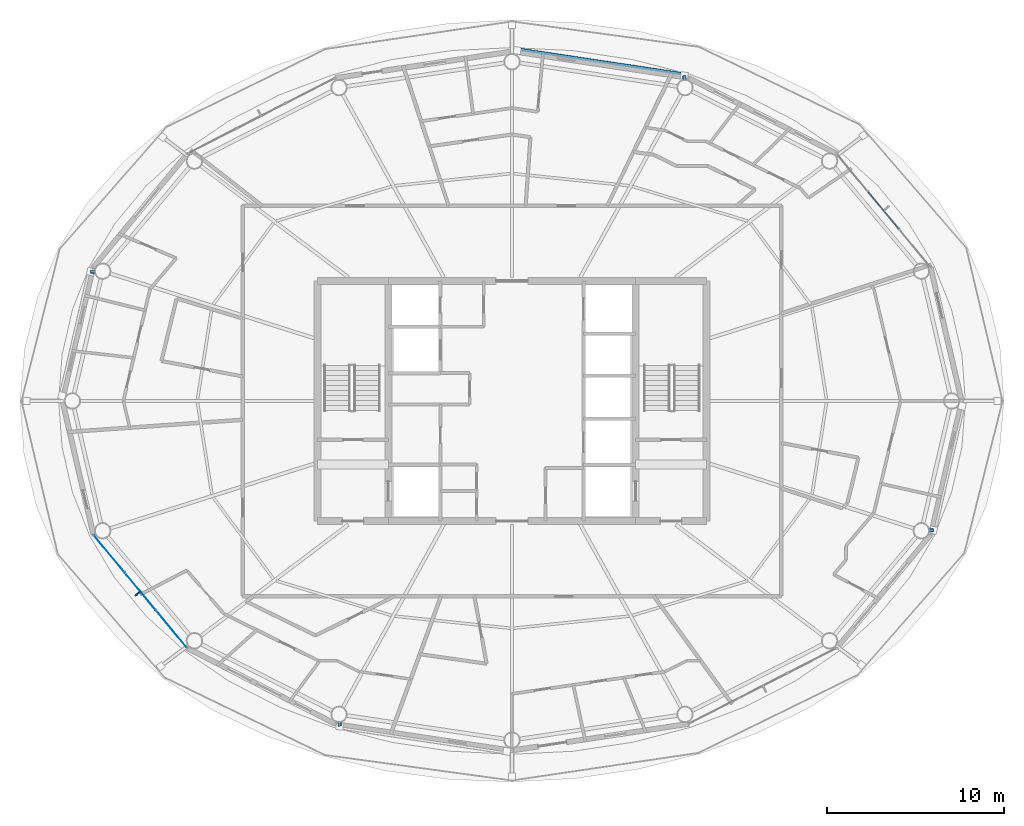
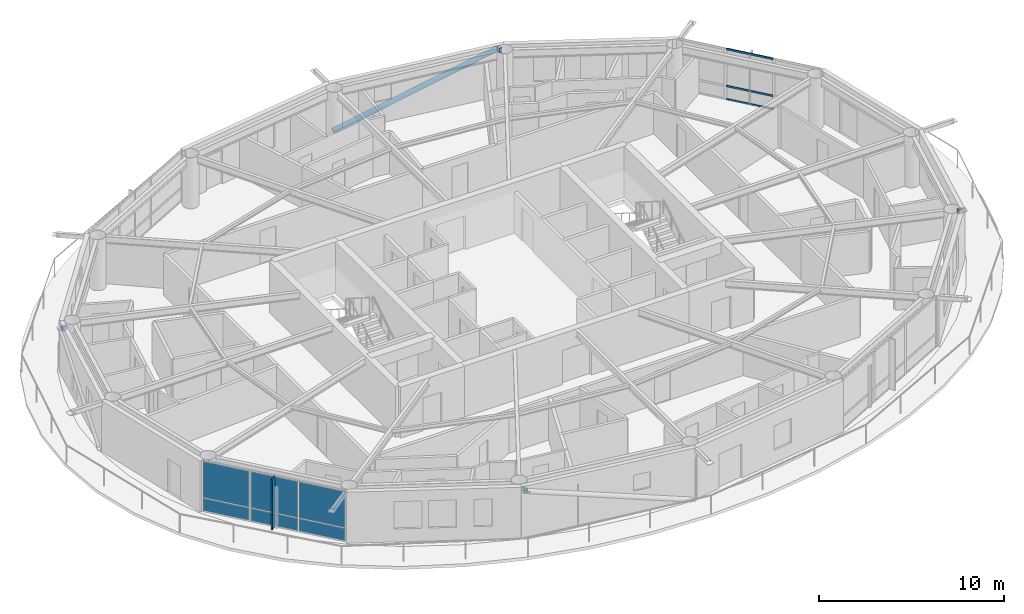
# One storey, part 12 of 23: 8 members, 7 plates, 2 elements without a shape of their own.
"""IFC4 building model written with IfcOpenShell, lengths in metres."""

from ifc_helpers import new_model, si_unit, direction, frame, origin, origin_2d, place, context, subcontext, project, spatial, rectangle, hollow_rectangle, hollow_circle, extrude, material, layer, layer_set, material_profile, profile_set, type_object, element, aggregate, save


model = new_model("IFC4")

# Units and contexts
model_context = context("Model", 3, precision=1e-05, world=origin(), true_north=direction((0.0, 1.0)))
body_context = subcontext(model_context, "Body", "Model", "MODEL_VIEW")
ifc_project = project(units=[si_unit("LENGTHUNIT", "METRE"), si_unit("AREAUNIT", "SQUARE_METRE"), si_unit("VOLUMEUNIT", "CUBIC_METRE"), si_unit("PLANEANGLEUNIT", "RADIAN"), si_unit("MASSUNIT", "GRAM", prefix="KILO")], contexts=[model_context])

# Site, building, storey
site_placement = place(None, origin())
site = spatial("IfcSite", under=ifc_project, at=site_placement, CompositionType="ELEMENT")
building_placement = place(site_placement, origin())
building = spatial("IfcBuilding", under=site, at=building_placement, Name="Sarneth Arch Tower", CompositionType="ELEMENT")
storey_placement = place(building_placement, frame((0.0, 0.0, 224.39990234375)))
storey = spatial("IfcBuildingStorey", under=building, at=storey_placement, Name="L57", CompositionType="ELEMENT", Elevation=224.39990234375)

# Curtain wall, members
ifc_material_1 = material(Name="Anodised aluminium Type AA25 and solar-control low-e laminated IGU", Category="aluminium")
ifc_layer_1 = layer(ifc_material_1, 0.179931640625)
ifc_layer_set_1 = layer_set([ifc_layer_1], Name="Anodised aluminium Type AA25 and solar-control low-e laminated IGU")
curtain_wall_type = type_object("IfcCurtainWallType", Name="CW-RES-HIGH", PredefinedType="NOTDEFINED", material=ifc_layer_set_1)
curtain_wall_1_placement = place(storey_placement, origin())
curtain_wall_1 = element("IfcCurtainWall", 1, at=curtain_wall_1_placement, inside=storey, type_object=curtain_wall_type, Name="L57 Unitised curtain wall facet 02", PredefinedType="NOTDEFINED")
ifc_material_2 = material(Name="Anodised Aluminium 6063-T6", Category="aluminium")
ifc_material_profile_1 = material_profile(ifc_material_2, hollow_rectangle(XDim=0.06005859375, YDim=0.1201171875, WallThickness=0.00390625, at=origin_2d()), Name="AL-TRAN-120x60x4")
ifc_profile_set_1 = profile_set([ifc_material_profile_1], Name="Anodised Aluminium 6063-T6")
member_type_1 = type_object("IfcMemberType", Name="CW-TRANSOM", PredefinedType="USERDEFINED", material=ifc_profile_set_1)
member_1_placement = place(storey_placement, frame((69.904296875, 51.731689453125, 0.030029296875), z_axis=(-0.637617371902, 0.770353222261, 0.0), x_axis=(-0.770353222261, -0.637617371902, 0.0)))
member_1 = element("IfcMember", 2, at=member_1_placement, type_object=member_type_1, Name="CW-SYS-6 transom 2.1", ObjectType="TRANSOM", PredefinedType="USERDEFINED", context=body_context, shape_type="SweptSolid", body=[
    extrude(hollow_rectangle(XDim=0.06005859375, YDim=0.1201171875, WallThickness=0.00390625, at=origin_2d()), origin(), (0.0, 0.0, 1.0), 2.716552734375),
])
member_2_placement = place(storey_placement, frame((69.904296875, 51.731689453125, 0.900146484375), z_axis=(-0.637617371902, 0.770353222261, 0.0), x_axis=(-0.770353222261, -0.637617371902, 0.0)))
member_2 = element("IfcMember", 3, at=member_2_placement, type_object=member_type_1, Name="CW-SYS-6 transom 2.2", ObjectType="TRANSOM", PredefinedType="USERDEFINED", context=body_context, shape_type="SweptSolid", body=[
    extrude(hollow_rectangle(XDim=0.06005859375, YDim=0.1201171875, WallThickness=0.00390625, at=origin_2d()), origin(), (0.0, 0.0, 1.0), 2.716552734375),
])
member_3_placement = place(storey_placement, frame((69.904296875, 51.731689453125, 3.330078125), z_axis=(-0.637617371902, 0.770353222261, 0.0), x_axis=(-0.770353222261, -0.637617371902, 0.0)))
member_3 = element("IfcMember", 4, at=member_3_placement, type_object=member_type_1, Name="CW-SYS-6 transom 2.3", ObjectType="TRANSOM", PredefinedType="USERDEFINED", context=body_context, shape_type="SweptSolid", body=[
    extrude(hollow_rectangle(XDim=0.06005859375, YDim=0.1201171875, WallThickness=0.00390625, at=origin_2d()), origin(), (0.0, 0.0, 1.0), 2.716552734375),
])
aggregate(curtain_wall_1, [member_1, member_2, member_3])

# Members
ifc_material_3 = material(Name="Steel S355", Category="steel")
ifc_material_profile_2 = material_profile(ifc_material_3, hollow_rectangle(XDim=0.199951171875, YDim=0.300048828125, WallThickness=0.012451171875, InnerFilletRadius=0.018798828125, OuterFilletRadius=0.03125, at=origin_2d()), Name="RHS300x200x12.5")
ifc_profile_set_2 = profile_set([ifc_material_profile_2], Name="Steel S355")
member_type_2 = type_object("IfcMemberType", Name="MEM-CANT-STRUT", PredefinedType="STRUT", material=ifc_profile_set_2)
member_4_placement = place(storey_placement, frame((57.768798828125, 60.142822265625, 3.03662109375), z_axis=(-0.05446449316, 0.998515707931, 0.0), x_axis=(-0.998515707931, -0.05446449316, 0.0)))
element("IfcMember", 5, at=member_4_placement, inside=storey, type_object=member_type_2, Name="L57 Exoskeleton brace node strut 04B", PredefinedType="STRUT", context=body_context, shape_type="SweptSolid", body=[
    extrude(hollow_rectangle(XDim=0.199951171875, YDim=0.300048828125, WallThickness=0.012451171875, InnerFilletRadius=0.018798828125, OuterFilletRadius=0.03125, at=origin_2d()), origin(), (0.0, 0.0, 1.0), 0.26904296875),
])
member_5_placement = place(storey_placement, frame((24.426513671875, 49.32861328125, 3.03662109375), z_axis=(-0.998880000755, -0.047315368457, 0.0), x_axis=(0.047315368457, -0.998880000755, 0.0)))
element("IfcMember", 6, at=member_5_placement, inside=storey, type_object=member_type_2, Name="L57 Exoskeleton brace node strut 08B", PredefinedType="STRUT", context=body_context, shape_type="SweptSolid", body=[
    extrude(hollow_rectangle(XDim=0.199951171875, YDim=0.300048828125, WallThickness=0.012451171875, InnerFilletRadius=0.018798828125, OuterFilletRadius=0.03125, at=origin_2d()), origin(), (0.0, 0.0, 1.0), 0.278564453125),
])
member_6_placement = place(storey_placement, frame((38.231201171875, 23.857177734375, 3.03662109375), z_axis=(0.05446449316, -0.998515707931, 0.0), x_axis=(0.998515707931, 0.05446449316, 0.0)))
element("IfcMember", 7, at=member_6_placement, inside=storey, type_object=member_type_2, Name="L57 Exoskeleton brace node strut 12B", PredefinedType="STRUT", context=body_context, shape_type="SweptSolid", body=[
    extrude(hollow_rectangle(XDim=0.199951171875, YDim=0.300048828125, WallThickness=0.012451171875, InnerFilletRadius=0.018798828125, OuterFilletRadius=0.03125, at=origin_2d()), origin(), (0.0, 0.0, 1.0), 0.26904296875),
])
member_7_placement = place(storey_placement, frame((71.573486328125, 34.67138671875, 3.03662109375), z_axis=(0.998880000755, 0.047315368457, 0.0), x_axis=(-0.047315368457, 0.998880000755, 0.0)))
element("IfcMember", 8, at=member_7_placement, inside=storey, type_object=member_type_2, Name="L57 Exoskeleton brace node strut 16B", PredefinedType="STRUT", context=body_context, shape_type="SweptSolid", body=[
    extrude(hollow_rectangle(XDim=0.199951171875, YDim=0.300048828125, WallThickness=0.012451171875, InnerFilletRadius=0.018798828125, OuterFilletRadius=0.03125, at=origin_2d()), origin(), (0.0, 0.0, 1.0), 0.278564453125),
])
ifc_material_4 = material(Name="Steel S355", Category="steel")
ifc_material_profile_3 = material_profile(ifc_material_4, hollow_circle(Radius=0.162109375, WallThickness=0.012451171875, at=origin_2d()), Name="CHS324x12.5")
ifc_profile_set_3 = profile_set([ifc_material_profile_3], Name="Steel S355")
member_type_3 = type_object("IfcMemberType", Name="MEM-DIAG-BR3", PredefinedType="BRACE", material=ifc_profile_set_3)
member_8_placement = place(storey_placement, frame((48.296630859375, 61.83544921875, 0.02001953125), z_axis=(0.943056107878, -0.142001297879, 0.300800280576), x_axis=(0.148897148305, 0.988852688335, 0.0)))
element("IfcMember", 9, at=member_8_placement, inside=storey, type_object=member_type_3, Name="L57 Perimeter frame diagonal 04", PredefinedType="BRACE", context=body_context, shape_type="SweptSolid", body=[
    extrude(hollow_circle(Radius=0.162109375, WallThickness=0.012451171875, at=origin_2d()), origin(), (0.0, 0.0, 1.0), 10.028564453125),
])

# Curtain wall, plates
curtain_wall_2_placement = place(storey_placement, origin())
curtain_wall_2 = element("IfcCurtainWall", 10, at=curtain_wall_2_placement, inside=storey, type_object=curtain_wall_type, Name="L57 Unitised curtain wall facet 10", PredefinedType="NOTDEFINED")
ifc_material_5 = material(Name="Solar-control low-e laminated IGU", Category="glass")
ifc_layer_2 = layer(ifc_material_5, 0.028076171875)
ifc_layer_set_2 = layer_set([ifc_layer_2], Name="Solar-control low-e laminated IGU")
plate_type_1 = type_object("IfcPlateType", Name="CW-PANEL", PredefinedType="CURTAIN_PANEL", material=ifc_layer_set_2)
plate_1_placement = place(storey_placement, frame((25.200927734375, 33.349365234375, 0.06005859375), z_axis=(0.0, 0.0, 1.0), x_axis=(0.637610094184, -0.770359245933, 0.0)))
plate_1 = element("IfcPlate", 11, at=plate_1_placement, type_object=plate_type_1, Name="Curtain wall glazed vision pane CW-L57-F10/P00-00", PredefinedType="CURTAIN_PANEL", context=body_context, shape_type="SweptSolid", body=[
    extrude(rectangle(XDim=2.686767578125, YDim=0.028076171875, at=origin_2d()), origin(), (0.0, 0.0, 1.0), 0.81005859375),
])
plate_2_placement = place(storey_placement, frame((25.200927734375, 33.349365234375, 0.929931640625), z_axis=(0.0, 0.0, 1.0), x_axis=(0.637610094184, -0.770359245933, 0.0)))
plate_2 = element("IfcPlate", 12, at=plate_2_placement, type_object=plate_type_1, Name="Curtain wall glazed vision pane CW-L57-F10/P00-01", PredefinedType="CURTAIN_PANEL", context=body_context, shape_type="SweptSolid", body=[
    extrude(rectangle(XDim=2.686767578125, YDim=0.028076171875, at=origin_2d()), origin(), (0.0, 0.0, 1.0), 2.3701171875),
])
plate_3_placement = place(storey_placement, frame((26.9619140625, 31.221923828125, 0.06005859375), z_axis=(0.0, 0.0, 1.0), x_axis=(0.637610094184, -0.770359245933, 0.0)))
plate_3 = element("IfcPlate", 13, at=plate_3_placement, type_object=plate_type_1, Name="Curtain wall glazed vision pane CW-L57-F10/P01-00", PredefinedType="CURTAIN_PANEL", context=body_context, shape_type="SweptSolid", body=[
    extrude(rectangle(XDim=2.716552734375, YDim=0.028076171875, at=origin_2d()), origin(), (0.0, 0.0, 1.0), 0.81005859375),
])
plate_4_placement = place(storey_placement, frame((26.9619140625, 31.221923828125, 0.929931640625), z_axis=(0.0, 0.0, 1.0), x_axis=(0.637610094184, -0.770359245933, 0.0)))
plate_4 = element("IfcPlate", 14, at=plate_4_placement, type_object=plate_type_1, Name="Curtain wall glazed vision pane CW-L57-F10/P01-01", PredefinedType="CURTAIN_PANEL", context=body_context, shape_type="SweptSolid", body=[
    extrude(rectangle(XDim=2.716552734375, YDim=0.028076171875, at=origin_2d()), origin(), (0.0, 0.0, 1.0), 2.3701171875),
])
plate_5_placement = place(storey_placement, frame((28.72265625, 29.094482421875, 0.06005859375), z_axis=(0.0, 0.0, 1.0), x_axis=(0.637610094184, -0.770359245933, 0.0)))
plate_5 = element("IfcPlate", 15, at=plate_5_placement, type_object=plate_type_1, Name="Curtain wall glazed vision pane CW-L57-F10/P02-00", PredefinedType="CURTAIN_PANEL", context=body_context, shape_type="SweptSolid", body=[
    extrude(rectangle(XDim=2.686767578125, YDim=0.028076171875, at=origin_2d()), origin(), (0.0, 0.0, 1.0), 0.81005859375),
])
plate_6_placement = place(storey_placement, frame((28.72265625, 29.094482421875, 0.929931640625), z_axis=(0.0, 0.0, 1.0), x_axis=(0.637610094184, -0.770359245933, 0.0)))
plate_6 = element("IfcPlate", 16, at=plate_6_placement, type_object=plate_type_1, Name="Curtain wall glazed vision pane CW-L57-F10/P02-01", PredefinedType="CURTAIN_PANEL", context=body_context, shape_type="SweptSolid", body=[
    extrude(rectangle(XDim=2.686767578125, YDim=0.028076171875, at=origin_2d()), origin(), (0.0, 0.0, 1.0), 2.3701171875),
])
aggregate(curtain_wall_2, [plate_1, plate_2, plate_3, plate_4, plate_5, plate_6])

# Plate
ifc_material_6 = material(Name="Extruded glazed terracotta baguette fin on Aluminium 6063-T6 carrier", Category="masonry")
ifc_layer_3 = layer(ifc_material_6, 0.080078125)
ifc_layer_set_3 = layer_set([ifc_layer_3], Name="Extruded glazed terracotta baguette fin on Aluminium 6063-T6 carrier")
plate_type_2 = type_object("IfcPlateType", Name="SHADE-TERRA-FIN", PredefinedType="SHEET", material=ifc_layer_set_3)
plate_7_placement = place(storey_placement, frame((26.830810546875, 31.113525390625, 0.01025390625), z_axis=(0.0, 0.0, 1.0), x_axis=(-0.770401979567, -0.63755845997, 0.0)))
element("IfcPlate", 17, at=plate_7_placement, inside=storey, type_object=plate_type_2, Name="L57 Terracotta vertical shading fin 10", PredefinedType="SHEET", context=body_context, shape_type="SweptSolid", body=[
    extrude(rectangle(XDim=0.419921875, YDim=0.080078125, at=origin_2d()), origin(), (0.0, 0.0, 1.0), 3.340087890625),
])

save(model, "model.ifc")
